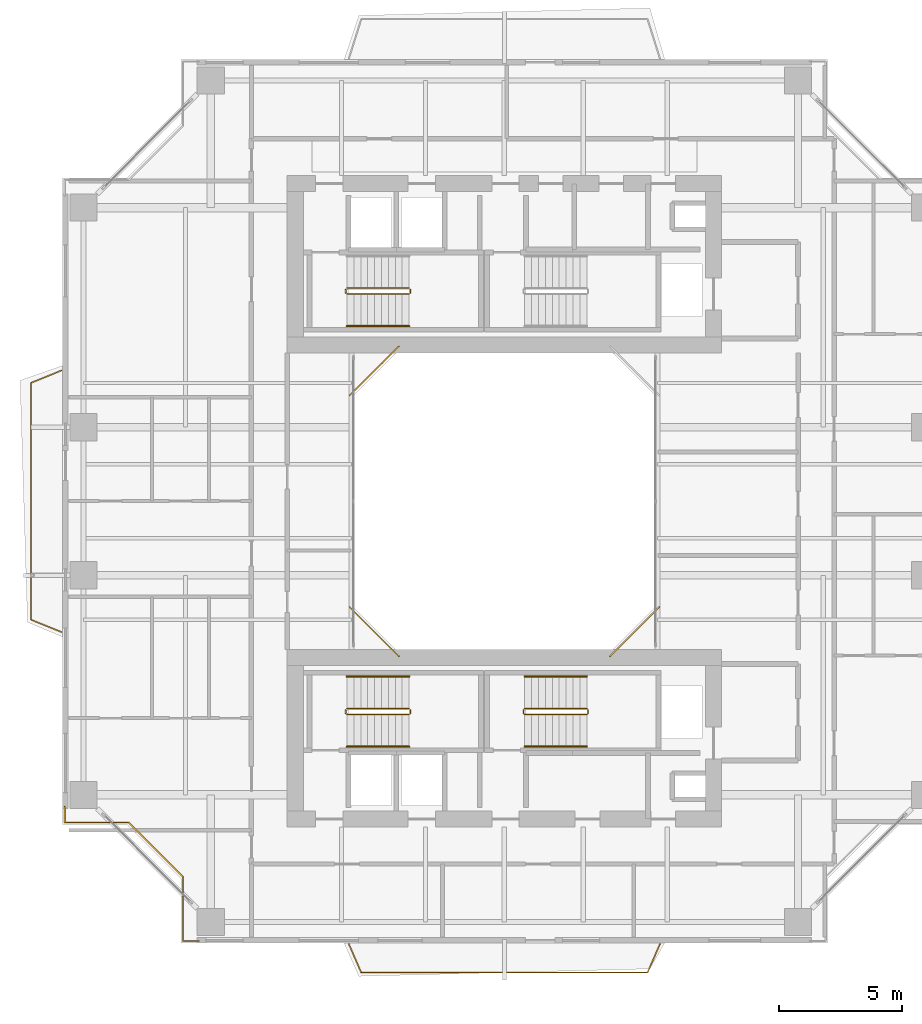
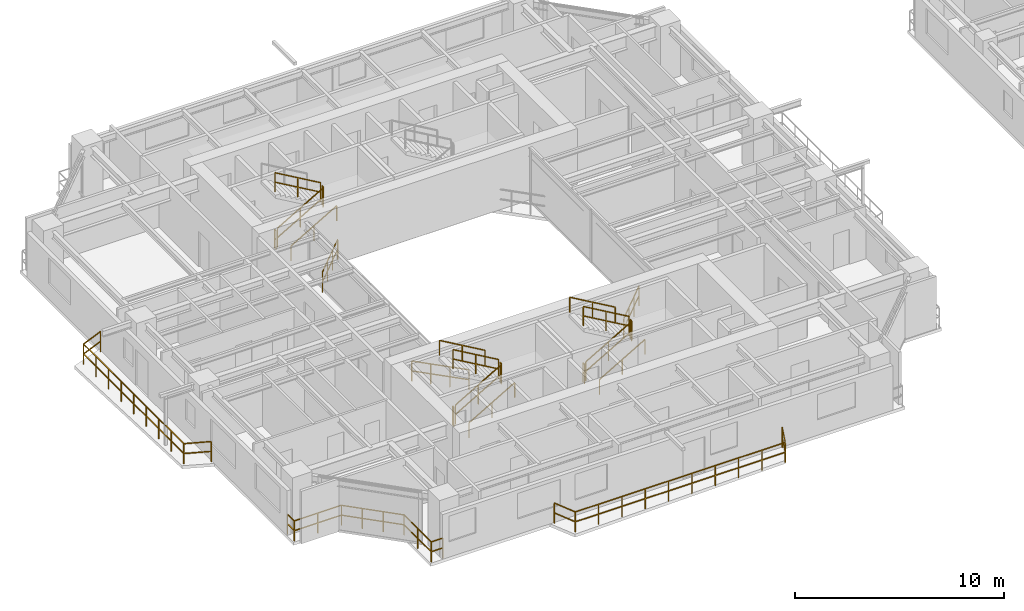
# One storey, part 21 of 24: 23 railings.
"""IFC4 building model written with IfcOpenShell, lengths in metres."""

from ifc_helpers import new_model, si_unit, direction, frame, origin, origin_2d, place, context, subcontext, project, spatial, rectangle, extrude, material, type_object, element, save


model = new_model("IFC4")

# Units and contexts
model_context = context("Model", 3, precision=1e-05, world=origin(), true_north=direction((0.0, 1.0)))
body_context = subcontext(model_context, "Body", "Model", "MODEL_VIEW")
ifc_project = project(units=[si_unit("LENGTHUNIT", "METRE"), si_unit("AREAUNIT", "SQUARE_METRE"), si_unit("VOLUMEUNIT", "CUBIC_METRE"), si_unit("PLANEANGLEUNIT", "RADIAN"), si_unit("MASSUNIT", "GRAM", prefix="KILO"), si_unit("THERMODYNAMICTEMPERATUREUNIT", "KELVIN"), si_unit("POWERUNIT", "WATT")], contexts=[model_context])

# Site, building, storey
site_placement = place(None, origin())
site = spatial("IfcSite", under=ifc_project, at=site_placement, CompositionType="ELEMENT")
building_placement = place(site_placement, origin())
building = spatial("IfcBuilding", under=site, at=building_placement, Name="Qiaomeng Ring Towers", CompositionType="ELEMENT")
storey_placement = place(building_placement, frame((0.0, 0.0, 106.75)))
storey = spatial("IfcBuildingStorey", under=building, at=storey_placement, Name="L30", CompositionType="ELEMENT", Elevation=106.75)

# Railings
ifc_material_1 = material(Name="Low-E pale-green laminated safety glass", Category="glass")
railing_type_1 = type_object("IfcRailingType", Name="ARC-RL-BAL1", PredefinedType="BALUSTRADE", material=ifc_material_1)
railing_1_placement = place(storey_placement, frame((23.280029296875, 16.719970703125, 0.0)))
element("IfcRailing", 1, at=railing_1_placement, inside=storey, type_object=railing_type_1, Name="L30 Balustrade ARC-BAL-WELL1-L30-1", PredefinedType="BALUSTRADE", context=body_context, shape_type="SweptSolid", body=[
    extrude(rectangle(XDim=0.048095703125, YDim=0.048095703125, at=origin_2d()), frame((0.0, 0.0, 1.17578125), z_axis=(0.707106781187, 0.707106781187, 0.0), x_axis=(-0.707106781187, 0.707106781187, 0.0)), (0.0, 0.0, 1.0), 2.828369140625),
    extrude(rectangle(XDim=0.048095703125, YDim=0.048095703125, at=origin_2d()), frame((0.0, 0.0, 0.60009765625), z_axis=(0.707106781187, 0.707106781187, 0.0), x_axis=(-0.707106781187, 0.707106781187, 0.0)), (0.0, 0.0, 1.0), 2.828369140625),
    extrude(rectangle(XDim=0.0419921875, YDim=0.0419921875, at=origin_2d()), origin(), (0.0, 0.0, 1.0), 1.15185546875),
    extrude(rectangle(XDim=0.0419921875, YDim=0.0419921875, at=origin_2d()), frame((0.666748046875, 0.666748046875, 0.0)), (0.0, 0.0, 1.0), 1.15185546875),
    extrude(rectangle(XDim=0.0419921875, YDim=0.0419921875, at=origin_2d()), frame((1.333251953125, 1.333251953125, 0.0)), (0.0, 0.0, 1.0), 1.15185546875),
    extrude(rectangle(XDim=0.0419921875, YDim=0.0419921875, at=origin_2d()), frame((2.0, 2.0, 0.0)), (0.0, 0.0, 1.0), 1.15185546875),
])
railing_2_placement = place(storey_placement, frame((14.719970703125, 29.280029296875, 0.0)))
element("IfcRailing", 2, at=railing_2_placement, inside=storey, type_object=railing_type_1, Name="L30 Balustrade ARC-BAL-WELL1-L30-3", PredefinedType="BALUSTRADE", context=body_context, shape_type="SweptSolid", body=[
    extrude(rectangle(XDim=0.048095703125, YDim=0.048095703125, at=origin_2d()), frame((0.0, 0.0, 1.17578125), z_axis=(-0.707106781187, -0.707106781187, 0.0), x_axis=(0.707106781187, -0.707106781187, 0.0)), (0.0, 0.0, 1.0), 2.828369140625),
    extrude(rectangle(XDim=0.048095703125, YDim=0.048095703125, at=origin_2d()), frame((0.0, 0.0, 0.60009765625), z_axis=(-0.707106781187, -0.707106781187, 0.0), x_axis=(0.707106781187, -0.707106781187, 0.0)), (0.0, 0.0, 1.0), 2.828369140625),
    extrude(rectangle(XDim=0.0419921875, YDim=0.0419921875, at=origin_2d()), origin(), (0.0, 0.0, 1.0), 1.15185546875),
    extrude(rectangle(XDim=0.0419921875, YDim=0.0419921875, at=origin_2d()), frame((-0.666748046875, -0.666748046875, 0.0)), (0.0, 0.0, 1.0), 1.15185546875),
    extrude(rectangle(XDim=0.0419921875, YDim=0.0419921875, at=origin_2d()), frame((-1.333251953125, -1.333251953125, 0.0)), (0.0, 0.0, 1.0), 1.15185546875),
    extrude(rectangle(XDim=0.0419921875, YDim=0.0419921875, at=origin_2d()), frame((-2.0, -2.0, 0.0)), (0.0, 0.0, 1.0), 1.15185546875),
])
railing_3_placement = place(storey_placement, frame((12.719970703125, 18.719970703125, 0.0)))
element("IfcRailing", 3, at=railing_3_placement, inside=storey, type_object=railing_type_1, Name="L30 Balustrade ARC-BAL-WELL1-L30-4", PredefinedType="BALUSTRADE", context=body_context, shape_type="SweptSolid", body=[
    extrude(rectangle(XDim=0.048095703125, YDim=0.048095703125, at=origin_2d()), frame((0.0, 0.0, 1.17578125), z_axis=(0.707106781187, -0.707106781187, 0.0), x_axis=(0.707106781187, 0.707106781187, 0.0)), (0.0, 0.0, 1.0), 2.828369140625),
    extrude(rectangle(XDim=0.048095703125, YDim=0.048095703125, at=origin_2d()), frame((0.0, 0.0, 0.60009765625), z_axis=(0.707106781187, -0.707106781187, 0.0), x_axis=(0.707106781187, 0.707106781187, 0.0)), (0.0, 0.0, 1.0), 2.828369140625),
    extrude(rectangle(XDim=0.0419921875, YDim=0.0419921875, at=origin_2d()), origin(), (0.0, 0.0, 1.0), 1.15185546875),
    extrude(rectangle(XDim=0.0419921875, YDim=0.0419921875, at=origin_2d()), frame((0.666748046875, -0.666748046875, 0.0)), (0.0, 0.0, 1.0), 1.15185546875),
    extrude(rectangle(XDim=0.0419921875, YDim=0.0419921875, at=origin_2d()), frame((1.333251953125, -1.333251953125, 0.0)), (0.0, 0.0, 1.0), 1.15185546875),
    extrude(rectangle(XDim=0.0419921875, YDim=0.0419921875, at=origin_2d()), frame((2.0, -2.0, 0.0)), (0.0, 0.0, 1.0), 1.15185546875),
])
railing_4_placement = place(storey_placement, frame((1.179931640625, 10.6298828125, 0.0)))
element("IfcRailing", 4, at=railing_4_placement, inside=storey, type_object=railing_type_1, Name="L30 Balustrade ARC-BAL-NOTCH1-L30-SW", PredefinedType="BALUSTRADE", context=body_context, shape_type="SweptSolid", body=[
    extrude(rectangle(XDim=0.048095703125, YDim=0.048095703125, at=origin_2d()), frame((0.0, 0.0, 1.17578125), z_axis=(0.0, -1.0, 0.0), x_axis=(1.0, 0.0, 0.0)), (0.0, 0.0, 1.0), 0.64990234375),
    extrude(rectangle(XDim=0.048095703125, YDim=0.048095703125, at=origin_2d()), frame((0.0, 0.0, 0.60009765625), z_axis=(0.0, -1.0, 0.0), x_axis=(1.0, 0.0, 0.0)), (0.0, 0.0, 1.0), 0.64990234375),
    extrude(rectangle(XDim=0.048095703125, YDim=0.048095703125, at=origin_2d()), frame((0.0, -0.64990234375, 1.17578125), z_axis=(1.0, 0.0, 0.0), x_axis=(0.0, 1.0, 0.0)), (0.0, 0.0, 1.0), 2.60009765625),
    extrude(rectangle(XDim=0.048095703125, YDim=0.048095703125, at=origin_2d()), frame((0.0, -0.64990234375, 0.60009765625), z_axis=(1.0, 0.0, 0.0), x_axis=(0.0, 1.0, 0.0)), (0.0, 0.0, 1.0), 2.60009765625),
    extrude(rectangle(XDim=0.048095703125, YDim=0.048095703125, at=origin_2d()), frame((2.60009765625, -0.64990234375, 1.17578125), z_axis=(0.707106781187, -0.707106781187, 0.0), x_axis=(0.707106781187, 0.707106781187, 0.0)), (0.0, 0.0, 1.0), 3.111083984375),
    extrude(rectangle(XDim=0.048095703125, YDim=0.048095703125, at=origin_2d()), frame((2.60009765625, -0.64990234375, 0.60009765625), z_axis=(0.707106781187, -0.707106781187, 0.0), x_axis=(0.707106781187, 0.707106781187, 0.0)), (0.0, 0.0, 1.0), 3.111083984375),
    extrude(rectangle(XDim=0.048095703125, YDim=0.048095703125, at=origin_2d()), frame((4.800048828125, -2.849853515625, 1.17578125), z_axis=(0.0, -1.0, 0.0), x_axis=(1.0, 0.0, 0.0)), (0.0, 0.0, 1.0), 2.60009765625),
    extrude(rectangle(XDim=0.048095703125, YDim=0.048095703125, at=origin_2d()), frame((4.800048828125, -2.849853515625, 0.60009765625), z_axis=(0.0, -1.0, 0.0), x_axis=(1.0, 0.0, 0.0)), (0.0, 0.0, 1.0), 2.60009765625),
    extrude(rectangle(XDim=0.048095703125, YDim=0.048095703125, at=origin_2d()), frame((4.800048828125, -5.449951171875, 1.17578125), z_axis=(1.0, 0.0, 0.0), x_axis=(0.0, 1.0, 0.0)), (0.0, 0.0, 1.0), 0.64990234375),
    extrude(rectangle(XDim=0.048095703125, YDim=0.048095703125, at=origin_2d()), frame((4.800048828125, -5.449951171875, 0.60009765625), z_axis=(1.0, 0.0, 0.0), x_axis=(0.0, 1.0, 0.0)), (0.0, 0.0, 1.0), 0.64990234375),
    extrude(rectangle(XDim=0.0419921875, YDim=0.0419921875, at=origin_2d()), origin(), (0.0, 0.0, 1.0), 1.15185546875),
    extrude(rectangle(XDim=0.0419921875, YDim=0.0419921875, at=origin_2d()), frame((0.0, -0.64990234375, 0.0)), (0.0, 0.0, 1.0), 1.15185546875),
    extrude(rectangle(XDim=0.0419921875, YDim=0.0419921875, at=origin_2d()), frame((1.300048828125, -0.64990234375, 0.0)), (0.0, 0.0, 1.0), 1.15185546875),
    extrude(rectangle(XDim=0.0419921875, YDim=0.0419921875, at=origin_2d()), frame((2.60009765625, -0.64990234375, 0.0)), (0.0, 0.0, 1.0), 1.15185546875),
    extrude(rectangle(XDim=0.0419921875, YDim=0.0419921875, at=origin_2d()), frame((3.33349609375, -1.38330078125, 0.0)), (0.0, 0.0, 1.0), 1.15185546875),
    extrude(rectangle(XDim=0.0419921875, YDim=0.0419921875, at=origin_2d()), frame((4.066650390625, -2.116455078125, 0.0)), (0.0, 0.0, 1.0), 1.15185546875),
    extrude(rectangle(XDim=0.0419921875, YDim=0.0419921875, at=origin_2d()), frame((4.800048828125, -2.849853515625, 0.0)), (0.0, 0.0, 1.0), 1.15185546875),
    extrude(rectangle(XDim=0.0419921875, YDim=0.0419921875, at=origin_2d()), frame((4.800048828125, -4.14990234375, 0.0)), (0.0, 0.0, 1.0), 1.15185546875),
    extrude(rectangle(XDim=0.0419921875, YDim=0.0419921875, at=origin_2d()), frame((4.800048828125, -5.449951171875, 0.0)), (0.0, 0.0, 1.0), 1.15185546875),
    extrude(rectangle(XDim=0.0419921875, YDim=0.0419921875, at=origin_2d()), frame((5.449951171875, -5.449951171875, 0.0)), (0.0, 0.0, 1.0), 1.15185546875),
])
railing_5_placement = place(storey_placement, frame((12.699951171875, 5.050048828125, 0.0)))
element("IfcRailing", 5, at=railing_5_placement, inside=storey, type_object=railing_type_1, Name="L30 Balustrade ARC-BAL-L30-T1-S", PredefinedType="BALUSTRADE", context=body_context, shape_type="SweptSolid", body=[
    extrude(rectangle(XDim=0.048095703125, YDim=0.048095703125, at=origin_2d()), frame((0.0, 0.0, 1.17578125), z_axis=(0.39868340127, -0.917088624699, 0.0), x_axis=(0.917088624699, 0.39868340127, 0.0)), (0.0, 0.0, 1.0), 1.254150390625),
    extrude(rectangle(XDim=0.048095703125, YDim=0.048095703125, at=origin_2d()), frame((0.0, 0.0, 0.60009765625), z_axis=(0.39868340127, -0.917088624699, 0.0), x_axis=(0.917088624699, 0.39868340127, 0.0)), (0.0, 0.0, 1.0), 1.254150390625),
    extrude(rectangle(XDim=0.048095703125, YDim=0.048095703125, at=origin_2d()), frame((0.5, -1.150146484375, 1.17578125), z_axis=(1.0, 0.0, 0.0), x_axis=(0.0, 1.0, 0.0)), (0.0, 0.0, 1.0), 11.60009765625),
    extrude(rectangle(XDim=0.048095703125, YDim=0.048095703125, at=origin_2d()), frame((0.5, -1.150146484375, 0.60009765625), z_axis=(1.0, 0.0, 0.0), x_axis=(0.0, 1.0, 0.0)), (0.0, 0.0, 1.0), 11.60009765625),
    extrude(rectangle(XDim=0.048095703125, YDim=0.048095703125, at=origin_2d()), frame((12.10009765625, -1.150146484375, 1.17578125), z_axis=(0.39868340127, 0.917088624699, 0.0), x_axis=(-0.917088624699, 0.39868340127, 0.0)), (0.0, 0.0, 1.0), 1.254150390625),
    extrude(rectangle(XDim=0.048095703125, YDim=0.048095703125, at=origin_2d()), frame((12.10009765625, -1.150146484375, 0.60009765625), z_axis=(0.39868340127, 0.917088624699, 0.0), x_axis=(-0.917088624699, 0.39868340127, 0.0)), (0.0, 0.0, 1.0), 1.254150390625),
    extrude(rectangle(XDim=0.0419921875, YDim=0.0419921875, at=origin_2d()), origin(), (0.0, 0.0, 1.0), 1.15185546875),
    extrude(rectangle(XDim=0.0419921875, YDim=0.0419921875, at=origin_2d()), frame((0.5, -1.150146484375, 0.0)), (0.0, 0.0, 1.0), 1.15185546875),
    extrude(rectangle(XDim=0.0419921875, YDim=0.0419921875, at=origin_2d()), frame((1.788818359375, -1.150146484375, 0.0)), (0.0, 0.0, 1.0), 1.15185546875),
    extrude(rectangle(XDim=0.0419921875, YDim=0.0419921875, at=origin_2d()), frame((3.077880859375, -1.150146484375, 0.0)), (0.0, 0.0, 1.0), 1.15185546875),
    extrude(rectangle(XDim=0.0419921875, YDim=0.0419921875, at=origin_2d()), frame((4.36669921875, -1.150146484375, 0.0)), (0.0, 0.0, 1.0), 1.15185546875),
    extrude(rectangle(XDim=0.0419921875, YDim=0.0419921875, at=origin_2d()), frame((5.655517578125, -1.150146484375, 0.0)), (0.0, 0.0, 1.0), 1.15185546875),
    extrude(rectangle(XDim=0.0419921875, YDim=0.0419921875, at=origin_2d()), frame((6.944580078125, -1.150146484375, 0.0)), (0.0, 0.0, 1.0), 1.15185546875),
    extrude(rectangle(XDim=0.0419921875, YDim=0.0419921875, at=origin_2d()), frame((8.2333984375, -1.150146484375, 0.0)), (0.0, 0.0, 1.0), 1.15185546875),
    extrude(rectangle(XDim=0.0419921875, YDim=0.0419921875, at=origin_2d()), frame((9.522216796875, -1.150146484375, 0.0)), (0.0, 0.0, 1.0), 1.15185546875),
    extrude(rectangle(XDim=0.0419921875, YDim=0.0419921875, at=origin_2d()), frame((10.811279296875, -1.150146484375, 0.0)), (0.0, 0.0, 1.0), 1.15185546875),
    extrude(rectangle(XDim=0.0419921875, YDim=0.0419921875, at=origin_2d()), frame((12.10009765625, -1.150146484375, 0.0)), (0.0, 0.0, 1.0), 1.15185546875),
    extrude(rectangle(XDim=0.0419921875, YDim=0.0419921875, at=origin_2d()), frame((12.60009765625, 0.0, 0.0)), (0.0, 0.0, 1.0), 1.15185546875),
])
railing_6_placement = place(storey_placement, frame((1.050048828125, 17.699951171875, 0.0)))
element("IfcRailing", 6, at=railing_6_placement, inside=storey, type_object=railing_type_1, Name="L30 Balustrade ARC-BAL-L30-T1-W", PredefinedType="BALUSTRADE", context=body_context, shape_type="SweptSolid", body=[
    extrude(rectangle(XDim=0.048095703125, YDim=0.048095703125, at=origin_2d()), frame((0.0, 0.0, 1.17578125), z_axis=(-0.926382398109, 0.376584190418, 0.0), x_axis=(-0.376584190418, -0.926382398109, 0.0)), (0.0, 0.0, 1.0), 1.32763671875),
    extrude(rectangle(XDim=0.048095703125, YDim=0.048095703125, at=origin_2d()), frame((0.0, 0.0, 0.60009765625), z_axis=(-0.926382398109, 0.376584190418, 0.0), x_axis=(-0.376584190418, -0.926382398109, 0.0)), (0.0, 0.0, 1.0), 1.32763671875),
    extrude(rectangle(XDim=0.048095703125, YDim=0.048095703125, at=origin_2d()), frame((-1.22998046875, 0.5, 1.17578125), z_axis=(0.0, 1.0, 0.0), x_axis=(-1.0, 0.0, 0.0)), (0.0, 0.0, 1.0), 9.60009765625),
    extrude(rectangle(XDim=0.048095703125, YDim=0.048095703125, at=origin_2d()), frame((-1.22998046875, 0.5, 0.60009765625), z_axis=(0.0, 1.0, 0.0), x_axis=(-1.0, 0.0, 0.0)), (0.0, 0.0, 1.0), 9.60009765625),
    extrude(rectangle(XDim=0.048095703125, YDim=0.048095703125, at=origin_2d()), frame((-1.22998046875, 10.10009765625, 1.17578125), z_axis=(0.926382398109, 0.376584190418, 0.0), x_axis=(-0.376584190418, 0.926382398109, 0.0)), (0.0, 0.0, 1.0), 1.32763671875),
    extrude(rectangle(XDim=0.048095703125, YDim=0.048095703125, at=origin_2d()), frame((-1.22998046875, 10.10009765625, 0.60009765625), z_axis=(0.926382398109, 0.376584190418, 0.0), x_axis=(-0.376584190418, 0.926382398109, 0.0)), (0.0, 0.0, 1.0), 1.32763671875),
    extrude(rectangle(XDim=0.0419921875, YDim=0.0419921875, at=origin_2d()), origin(), (0.0, 0.0, 1.0), 1.15185546875),
    extrude(rectangle(XDim=0.0419921875, YDim=0.0419921875, at=origin_2d()), frame((-1.22998046875, 0.5, 0.0)), (0.0, 0.0, 1.0), 1.15185546875),
    extrude(rectangle(XDim=0.0419921875, YDim=0.0419921875, at=origin_2d()), frame((-1.22998046875, 1.699951171875, 0.0)), (0.0, 0.0, 1.0), 1.15185546875),
    extrude(rectangle(XDim=0.0419921875, YDim=0.0419921875, at=origin_2d()), frame((-1.22998046875, 2.89990234375, 0.0)), (0.0, 0.0, 1.0), 1.15185546875),
    extrude(rectangle(XDim=0.0419921875, YDim=0.0419921875, at=origin_2d()), frame((-1.22998046875, 4.10009765625, 0.0)), (0.0, 0.0, 1.0), 1.15185546875),
    extrude(rectangle(XDim=0.0419921875, YDim=0.0419921875, at=origin_2d()), frame((-1.22998046875, 5.300048828125, 0.0)), (0.0, 0.0, 1.0), 1.15185546875),
    extrude(rectangle(XDim=0.0419921875, YDim=0.0419921875, at=origin_2d()), frame((-1.22998046875, 6.5, 0.0)), (0.0, 0.0, 1.0), 1.15185546875),
    extrude(rectangle(XDim=0.0419921875, YDim=0.0419921875, at=origin_2d()), frame((-1.22998046875, 7.7001953125, 0.0)), (0.0, 0.0, 1.0), 1.15185546875),
    extrude(rectangle(XDim=0.0419921875, YDim=0.0419921875, at=origin_2d()), frame((-1.22998046875, 8.900146484375, 0.0)), (0.0, 0.0, 1.0), 1.15185546875),
    extrude(rectangle(XDim=0.0419921875, YDim=0.0419921875, at=origin_2d()), frame((-1.22998046875, 10.10009765625, 0.0)), (0.0, 0.0, 1.0), 1.15185546875),
    extrude(rectangle(XDim=0.0419921875, YDim=0.0419921875, at=origin_2d()), frame((0.0, 10.60009765625, 0.0)), (0.0, 0.0, 1.0), 1.15185546875),
])
ifc_material_2 = material(Name="Galvanised steel", Category="steel")
railing_type_2 = type_object("IfcRailingType", Name="ARC-RL-GUARD", PredefinedType="GUARDRAIL", material=ifc_material_2)
railing_7_placement = place(storey_placement, frame((12.6201171875, 31.39990234375, 0.16259765625)))
element("IfcRailing", 7, at=railing_7_placement, inside=storey, type_object=railing_type_2, Name="L30 ST1 stair guard 1", PredefinedType="GUARDRAIL", context=body_context, shape_type="SweptSolid", body=[
    extrude(rectangle(XDim=0.048095703125, YDim=0.048095703125, at=origin_2d()), frame((0.0, 0.0, 1.1259765625), z_axis=(0.864892226395, 0.0, 0.501957604506), x_axis=(0.0, 1.0, 0.0)), (0.0, 0.0, 1.0), 2.913330078125),
    extrude(rectangle(XDim=0.048095703125, YDim=0.048095703125, at=origin_2d()), frame((0.0, 0.0, 0.574951171875), z_axis=(0.864892226395, 0.0, 0.501957604506), x_axis=(0.0, 1.0, 0.0)), (0.0, 0.0, 1.0), 2.913330078125),
    extrude(rectangle(XDim=0.0419921875, YDim=0.0419921875, at=origin_2d()), origin(), (0.0, 0.0, 1.0), 1.101806640625),
    extrude(rectangle(XDim=0.0419921875, YDim=0.0419921875, at=origin_2d()), frame((1.259765625, 0.0, 0.731201171875)), (0.0, 0.0, 1.0), 1.101806640625),
    extrude(rectangle(XDim=0.0419921875, YDim=0.0419921875, at=origin_2d()), frame((2.519775390625, 0.0, 1.46240234375)), (0.0, 0.0, 1.0), 1.101806640625),
])
railing_8_placement = place(storey_placement, frame((15.18994140625, 31.449951171875, 1.625)))
element("IfcRailing", 8, at=railing_8_placement, inside=storey, type_object=railing_type_2, Name="L30 ST1 stair guard 2", PredefinedType="GUARDRAIL", context=body_context, shape_type="SweptSolid", body=[
    extrude(rectangle(XDim=0.048095703125, YDim=0.048095703125, at=origin_2d()), frame((0.0, 0.0, 1.1259765625), z_axis=(0.0, 1.0, 0.0), x_axis=(-1.0, 0.0, 0.0)), (0.0, 0.0, 1.0), 0.14013671875),
    extrude(rectangle(XDim=0.048095703125, YDim=0.048095703125, at=origin_2d()), frame((0.0, 0.0, 0.574951171875), z_axis=(0.0, 1.0, 0.0), x_axis=(-1.0, 0.0, 0.0)), (0.0, 0.0, 1.0), 0.14013671875),
    extrude(rectangle(XDim=0.0419921875, YDim=0.0419921875, at=origin_2d()), origin(), (0.0, 0.0, 1.0), 1.101806640625),
    extrude(rectangle(XDim=0.0419921875, YDim=0.0419921875, at=origin_2d()), frame((0.0, 0.14013671875, 0.0)), (0.0, 0.0, 1.0), 1.101806640625),
])
railing_9_placement = place(storey_placement, frame((15.139892578125, 31.639892578125, 1.78759765625)))
element("IfcRailing", 9, at=railing_9_placement, inside=storey, type_object=railing_type_2, Name="L30 ST1 stair guard 3", PredefinedType="GUARDRAIL", context=body_context, shape_type="SweptSolid", body=[
    extrude(rectangle(XDim=0.048095703125, YDim=0.048095703125, at=origin_2d()), frame((0.0, 0.0, 1.1259765625), z_axis=(-0.864892226395, 0.0, 0.501957604506), x_axis=(0.0, -1.0, 0.0)), (0.0, 0.0, 1.0), 2.913330078125),
    extrude(rectangle(XDim=0.048095703125, YDim=0.048095703125, at=origin_2d()), frame((0.0, 0.0, 0.574951171875), z_axis=(-0.864892226395, 0.0, 0.501957604506), x_axis=(0.0, -1.0, 0.0)), (0.0, 0.0, 1.0), 2.913330078125),
    extrude(rectangle(XDim=0.0419921875, YDim=0.0419921875, at=origin_2d()), origin(), (0.0, 0.0, 1.0), 1.101806640625),
    extrude(rectangle(XDim=0.0419921875, YDim=0.0419921875, at=origin_2d()), frame((-1.259765625, 0.0, 0.731201171875)), (0.0, 0.0, 1.0), 1.101806640625),
    extrude(rectangle(XDim=0.0419921875, YDim=0.0419921875, at=origin_2d()), frame((-2.519775390625, 0.0, 1.46240234375)), (0.0, 0.0, 1.0), 1.101806640625),
])
railing_10_placement = place(storey_placement, frame((12.570068359375, 31.449951171875, 0.0)))
element("IfcRailing", 10, at=railing_10_placement, inside=storey, type_object=railing_type_2, Name="L30 ST1 stair guard 4", PredefinedType="GUARDRAIL", context=body_context, shape_type="SweptSolid", body=[
    extrude(rectangle(XDim=0.048095703125, YDim=0.048095703125, at=origin_2d()), frame((0.0, 0.0, 1.1259765625), z_axis=(0.0, 1.0, 0.0), x_axis=(-1.0, 0.0, 0.0)), (0.0, 0.0, 1.0), 0.14013671875),
    extrude(rectangle(XDim=0.048095703125, YDim=0.048095703125, at=origin_2d()), frame((0.0, 0.0, 0.574951171875), z_axis=(0.0, 1.0, 0.0), x_axis=(-1.0, 0.0, 0.0)), (0.0, 0.0, 1.0), 0.14013671875),
    extrude(rectangle(XDim=0.0419921875, YDim=0.0419921875, at=origin_2d()), origin(), (0.0, 0.0, 1.0), 1.101806640625),
    extrude(rectangle(XDim=0.0419921875, YDim=0.0419921875, at=origin_2d()), frame((0.0, 0.14013671875, 0.0)), (0.0, 0.0, 1.0), 1.101806640625),
])
railing_11_placement = place(storey_placement, frame((12.6201171875, 14.360107421875, 0.16259765625)))
element("IfcRailing", 11, at=railing_11_placement, inside=storey, type_object=railing_type_2, Name="L30 ST3 stair guard 1", PredefinedType="GUARDRAIL", context=body_context, shape_type="SweptSolid", body=[
    extrude(rectangle(XDim=0.048095703125, YDim=0.048095703125, at=origin_2d()), frame((0.0, 0.0, 1.1259765625), z_axis=(0.864892226395, 0.0, 0.501957604506), x_axis=(0.0, 1.0, 0.0)), (0.0, 0.0, 1.0), 2.913330078125),
    extrude(rectangle(XDim=0.048095703125, YDim=0.048095703125, at=origin_2d()), frame((0.0, 0.0, 0.574951171875), z_axis=(0.864892226395, 0.0, 0.501957604506), x_axis=(0.0, 1.0, 0.0)), (0.0, 0.0, 1.0), 2.913330078125),
    extrude(rectangle(XDim=0.0419921875, YDim=0.0419921875, at=origin_2d()), origin(), (0.0, 0.0, 1.0), 1.101806640625),
    extrude(rectangle(XDim=0.0419921875, YDim=0.0419921875, at=origin_2d()), frame((1.259765625, 0.0, 0.731201171875)), (0.0, 0.0, 1.0), 1.101806640625),
    extrude(rectangle(XDim=0.0419921875, YDim=0.0419921875, at=origin_2d()), frame((2.519775390625, 0.0, 1.46240234375)), (0.0, 0.0, 1.0), 1.101806640625),
])
railing_12_placement = place(storey_placement, frame((15.18994140625, 14.409912109375, 1.625)))
element("IfcRailing", 12, at=railing_12_placement, inside=storey, type_object=railing_type_2, Name="L30 ST3 stair guard 2", PredefinedType="GUARDRAIL", context=body_context, shape_type="SweptSolid", body=[
    extrude(rectangle(XDim=0.048095703125, YDim=0.048095703125, at=origin_2d()), frame((0.0, 0.0, 1.1259765625), z_axis=(0.0, 1.0, 0.0), x_axis=(-1.0, 0.0, 0.0)), (0.0, 0.0, 1.0), 0.14013671875),
    extrude(rectangle(XDim=0.048095703125, YDim=0.048095703125, at=origin_2d()), frame((0.0, 0.0, 0.574951171875), z_axis=(0.0, 1.0, 0.0), x_axis=(-1.0, 0.0, 0.0)), (0.0, 0.0, 1.0), 0.14013671875),
    extrude(rectangle(XDim=0.0419921875, YDim=0.0419921875, at=origin_2d()), origin(), (0.0, 0.0, 1.0), 1.101806640625),
    extrude(rectangle(XDim=0.0419921875, YDim=0.0419921875, at=origin_2d()), frame((0.0, 0.14013671875, 0.0)), (0.0, 0.0, 1.0), 1.101806640625),
])
railing_13_placement = place(storey_placement, frame((15.139892578125, 14.60009765625, 1.78759765625)))
element("IfcRailing", 13, at=railing_13_placement, inside=storey, type_object=railing_type_2, Name="L30 ST3 stair guard 3", PredefinedType="GUARDRAIL", context=body_context, shape_type="SweptSolid", body=[
    extrude(rectangle(XDim=0.048095703125, YDim=0.048095703125, at=origin_2d()), frame((0.0, 0.0, 1.1259765625), z_axis=(-0.864892226395, 0.0, 0.501957604506), x_axis=(0.0, -1.0, 0.0)), (0.0, 0.0, 1.0), 2.913330078125),
    extrude(rectangle(XDim=0.048095703125, YDim=0.048095703125, at=origin_2d()), frame((0.0, 0.0, 0.574951171875), z_axis=(-0.864892226395, 0.0, 0.501957604506), x_axis=(0.0, -1.0, 0.0)), (0.0, 0.0, 1.0), 2.913330078125),
    extrude(rectangle(XDim=0.0419921875, YDim=0.0419921875, at=origin_2d()), origin(), (0.0, 0.0, 1.0), 1.101806640625),
    extrude(rectangle(XDim=0.0419921875, YDim=0.0419921875, at=origin_2d()), frame((-1.259765625, 0.0, 0.731201171875)), (0.0, 0.0, 1.0), 1.101806640625),
    extrude(rectangle(XDim=0.0419921875, YDim=0.0419921875, at=origin_2d()), frame((-2.519775390625, 0.0, 1.46240234375)), (0.0, 0.0, 1.0), 1.101806640625),
])
railing_14_placement = place(storey_placement, frame((12.570068359375, 14.409912109375, 0.0)))
element("IfcRailing", 14, at=railing_14_placement, inside=storey, type_object=railing_type_2, Name="L30 ST3 stair guard 4", PredefinedType="GUARDRAIL", context=body_context, shape_type="SweptSolid", body=[
    extrude(rectangle(XDim=0.048095703125, YDim=0.048095703125, at=origin_2d()), frame((0.0, 0.0, 1.1259765625), z_axis=(0.0, 1.0, 0.0), x_axis=(-1.0, 0.0, 0.0)), (0.0, 0.0, 1.0), 0.14013671875),
    extrude(rectangle(XDim=0.048095703125, YDim=0.048095703125, at=origin_2d()), frame((0.0, 0.0, 0.574951171875), z_axis=(0.0, 1.0, 0.0), x_axis=(-1.0, 0.0, 0.0)), (0.0, 0.0, 1.0), 0.14013671875),
    extrude(rectangle(XDim=0.0419921875, YDim=0.0419921875, at=origin_2d()), origin(), (0.0, 0.0, 1.0), 1.101806640625),
    extrude(rectangle(XDim=0.0419921875, YDim=0.0419921875, at=origin_2d()), frame((0.0, 0.14013671875, 0.0)), (0.0, 0.0, 1.0), 1.101806640625),
])
railing_15_placement = place(storey_placement, frame((19.820068359375, 14.360107421875, 0.16259765625)))
element("IfcRailing", 15, at=railing_15_placement, inside=storey, type_object=railing_type_2, Name="L30 ST4 stair guard 1", PredefinedType="GUARDRAIL", context=body_context, shape_type="SweptSolid", body=[
    extrude(rectangle(XDim=0.048095703125, YDim=0.048095703125, at=origin_2d()), frame((0.0, 0.0, 1.1259765625), z_axis=(0.864913338283, 0.0, 0.50192122615), x_axis=(0.0, 1.0, 0.0)), (0.0, 0.0, 1.0), 2.91357421875),
    extrude(rectangle(XDim=0.048095703125, YDim=0.048095703125, at=origin_2d()), frame((0.0, 0.0, 0.574951171875), z_axis=(0.864913338283, 0.0, 0.50192122615), x_axis=(0.0, 1.0, 0.0)), (0.0, 0.0, 1.0), 2.91357421875),
    extrude(rectangle(XDim=0.0419921875, YDim=0.0419921875, at=origin_2d()), origin(), (0.0, 0.0, 1.0), 1.101806640625),
    extrude(rectangle(XDim=0.0419921875, YDim=0.0419921875, at=origin_2d()), frame((1.260009765625, 0.0, 0.731201171875)), (0.0, 0.0, 1.0), 1.101806640625),
    extrude(rectangle(XDim=0.0419921875, YDim=0.0419921875, at=origin_2d()), frame((2.52001953125, 0.0, 1.46240234375)), (0.0, 0.0, 1.0), 1.101806640625),
])
railing_16_placement = place(storey_placement, frame((22.389892578125, 14.409912109375, 1.625)))
element("IfcRailing", 16, at=railing_16_placement, inside=storey, type_object=railing_type_2, Name="L30 ST4 stair guard 2", PredefinedType="GUARDRAIL", context=body_context, shape_type="SweptSolid", body=[
    extrude(rectangle(XDim=0.048095703125, YDim=0.048095703125, at=origin_2d()), frame((0.0, 0.0, 1.1259765625), z_axis=(0.0, 1.0, 0.0), x_axis=(-1.0, 0.0, 0.0)), (0.0, 0.0, 1.0), 0.14013671875),
    extrude(rectangle(XDim=0.048095703125, YDim=0.048095703125, at=origin_2d()), frame((0.0, 0.0, 0.574951171875), z_axis=(0.0, 1.0, 0.0), x_axis=(-1.0, 0.0, 0.0)), (0.0, 0.0, 1.0), 0.14013671875),
    extrude(rectangle(XDim=0.0419921875, YDim=0.0419921875, at=origin_2d()), origin(), (0.0, 0.0, 1.0), 1.101806640625),
    extrude(rectangle(XDim=0.0419921875, YDim=0.0419921875, at=origin_2d()), frame((0.0, 0.14013671875, 0.0)), (0.0, 0.0, 1.0), 1.101806640625),
])
railing_17_placement = place(storey_placement, frame((22.340087890625, 14.60009765625, 1.78759765625)))
element("IfcRailing", 17, at=railing_17_placement, inside=storey, type_object=railing_type_2, Name="L30 ST4 stair guard 3", PredefinedType="GUARDRAIL", context=body_context, shape_type="SweptSolid", body=[
    extrude(rectangle(XDim=0.048095703125, YDim=0.048095703125, at=origin_2d()), frame((0.0, 0.0, 1.1259765625), z_axis=(-0.864913338283, 0.0, 0.50192122615), x_axis=(0.0, -1.0, 0.0)), (0.0, 0.0, 1.0), 2.91357421875),
    extrude(rectangle(XDim=0.048095703125, YDim=0.048095703125, at=origin_2d()), frame((0.0, 0.0, 0.574951171875), z_axis=(-0.864913338283, 0.0, 0.50192122615), x_axis=(0.0, -1.0, 0.0)), (0.0, 0.0, 1.0), 2.91357421875),
    extrude(rectangle(XDim=0.0419921875, YDim=0.0419921875, at=origin_2d()), origin(), (0.0, 0.0, 1.0), 1.101806640625),
    extrude(rectangle(XDim=0.0419921875, YDim=0.0419921875, at=origin_2d()), frame((-1.260009765625, 0.0, 0.731201171875)), (0.0, 0.0, 1.0), 1.101806640625),
    extrude(rectangle(XDim=0.0419921875, YDim=0.0419921875, at=origin_2d()), frame((-2.52001953125, 0.0, 1.46240234375)), (0.0, 0.0, 1.0), 1.101806640625),
])
railing_18_placement = place(storey_placement, frame((19.77001953125, 14.409912109375, 0.0)))
element("IfcRailing", 18, at=railing_18_placement, inside=storey, type_object=railing_type_2, Name="L30 ST4 stair guard 4", PredefinedType="GUARDRAIL", context=body_context, shape_type="SweptSolid", body=[
    extrude(rectangle(XDim=0.048095703125, YDim=0.048095703125, at=origin_2d()), frame((0.0, 0.0, 1.1259765625), z_axis=(0.0, 1.0, 0.0), x_axis=(-1.0, 0.0, 0.0)), (0.0, 0.0, 1.0), 0.14013671875),
    extrude(rectangle(XDim=0.048095703125, YDim=0.048095703125, at=origin_2d()), frame((0.0, 0.0, 0.574951171875), z_axis=(0.0, 1.0, 0.0), x_axis=(-1.0, 0.0, 0.0)), (0.0, 0.0, 1.0), 0.14013671875),
    extrude(rectangle(XDim=0.0419921875, YDim=0.0419921875, at=origin_2d()), origin(), (0.0, 0.0, 1.0), 1.101806640625),
    extrude(rectangle(XDim=0.0419921875, YDim=0.0419921875, at=origin_2d()), frame((0.0, 0.14013671875, 0.0)), (0.0, 0.0, 1.0), 1.101806640625),
])
ifc_material_3 = material(Name="Stainless steel 316", Category="steel")
railing_type_3 = type_object("IfcRailingType", Name="ARC-RL-HAND", PredefinedType="HANDRAIL", material=ifc_material_3)
for number, where, name in (
    (19, (12.6201171875, 30.10009765625, 0.16259765625), "L30 ST1 stair handrail 1"),
    (20, (12.6201171875, 13.06005859375, 0.16259765625), "L30 ST3 stair handrail 1"),
):
    element("IfcRailing", number, at=place(storey_placement, frame(where)), inside=storey, type_object=railing_type_3, Name=name, PredefinedType="HANDRAIL", context=body_context, shape_type="SweptSolid", body=[
        extrude(rectangle(XDim=0.048095703125, YDim=0.048095703125, at=origin_2d()), frame((0.0, 0.0, 0.8759765625), z_axis=(0.864892226395, 0.0, 0.501957604506), x_axis=(0.0, 1.0, 0.0)), (0.0, 0.0, 1.0), 2.913330078125),
        extrude(rectangle(XDim=0.0419921875, YDim=0.0419921875, at=origin_2d()), origin(), (0.0, 0.0, 1.0), 0.851806640625),
        extrude(rectangle(XDim=0.0419921875, YDim=0.0419921875, at=origin_2d()), frame((1.259765625, 0.0, 0.731201171875)), (0.0, 0.0, 1.0), 0.851806640625),
        extrude(rectangle(XDim=0.0419921875, YDim=0.0419921875, at=origin_2d()), frame((2.519775390625, 0.0, 1.46240234375)), (0.0, 0.0, 1.0), 0.851806640625),
    ])
railing_19_placement = place(storey_placement, frame((15.139892578125, 15.89990234375, 1.78759765625)))
element("IfcRailing", 21, at=railing_19_placement, inside=storey, type_object=railing_type_3, Name="L30 ST3 stair handrail 2", PredefinedType="HANDRAIL", context=body_context, shape_type="SweptSolid", body=[
    extrude(rectangle(XDim=0.048095703125, YDim=0.048095703125, at=origin_2d()), frame((0.0, 0.0, 0.8759765625), z_axis=(-0.864892226395, 0.0, 0.501957604506), x_axis=(0.0, -1.0, 0.0)), (0.0, 0.0, 1.0), 2.913330078125),
    extrude(rectangle(XDim=0.0419921875, YDim=0.0419921875, at=origin_2d()), origin(), (0.0, 0.0, 1.0), 0.851806640625),
    extrude(rectangle(XDim=0.0419921875, YDim=0.0419921875, at=origin_2d()), frame((-1.259765625, 0.0, 0.731201171875)), (0.0, 0.0, 1.0), 0.851806640625),
    extrude(rectangle(XDim=0.0419921875, YDim=0.0419921875, at=origin_2d()), frame((-2.519775390625, 0.0, 1.46240234375)), (0.0, 0.0, 1.0), 0.851806640625),
])
railing_20_placement = place(storey_placement, frame((19.820068359375, 13.06005859375, 0.16259765625)))
element("IfcRailing", 22, at=railing_20_placement, inside=storey, type_object=railing_type_3, Name="L30 ST4 stair handrail 1", PredefinedType="HANDRAIL", context=body_context, shape_type="SweptSolid", body=[
    extrude(rectangle(XDim=0.048095703125, YDim=0.048095703125, at=origin_2d()), frame((0.0, 0.0, 0.8759765625), z_axis=(0.864913338283, 0.0, 0.50192122615), x_axis=(0.0, 1.0, 0.0)), (0.0, 0.0, 1.0), 2.91357421875),
    extrude(rectangle(XDim=0.0419921875, YDim=0.0419921875, at=origin_2d()), origin(), (0.0, 0.0, 1.0), 0.851806640625),
    extrude(rectangle(XDim=0.0419921875, YDim=0.0419921875, at=origin_2d()), frame((1.260009765625, 0.0, 0.731201171875)), (0.0, 0.0, 1.0), 0.851806640625),
    extrude(rectangle(XDim=0.0419921875, YDim=0.0419921875, at=origin_2d()), frame((2.52001953125, 0.0, 1.46240234375)), (0.0, 0.0, 1.0), 0.851806640625),
])
railing_21_placement = place(storey_placement, frame((22.340087890625, 15.89990234375, 1.78759765625)))
element("IfcRailing", 23, at=railing_21_placement, inside=storey, type_object=railing_type_3, Name="L30 ST4 stair handrail 2", PredefinedType="HANDRAIL", context=body_context, shape_type="SweptSolid", body=[
    extrude(rectangle(XDim=0.048095703125, YDim=0.048095703125, at=origin_2d()), frame((0.0, 0.0, 0.8759765625), z_axis=(-0.864913338283, 0.0, 0.50192122615), x_axis=(0.0, -1.0, 0.0)), (0.0, 0.0, 1.0), 2.91357421875),
    extrude(rectangle(XDim=0.0419921875, YDim=0.0419921875, at=origin_2d()), origin(), (0.0, 0.0, 1.0), 0.851806640625),
    extrude(rectangle(XDim=0.0419921875, YDim=0.0419921875, at=origin_2d()), frame((-1.260009765625, 0.0, 0.731201171875)), (0.0, 0.0, 1.0), 0.851806640625),
    extrude(rectangle(XDim=0.0419921875, YDim=0.0419921875, at=origin_2d()), frame((-2.52001953125, 0.0, 1.46240234375)), (0.0, 0.0, 1.0), 0.851806640625),
])

save(model, "model.ifc")
